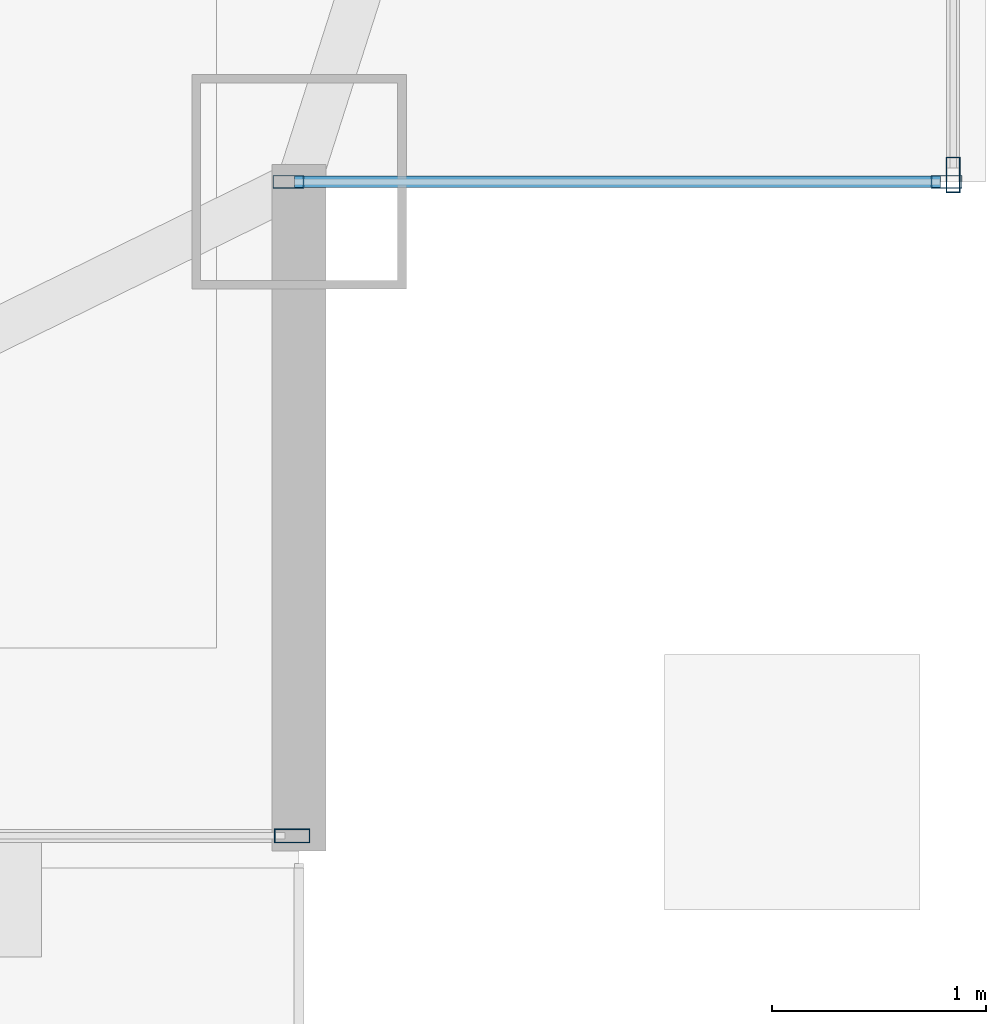
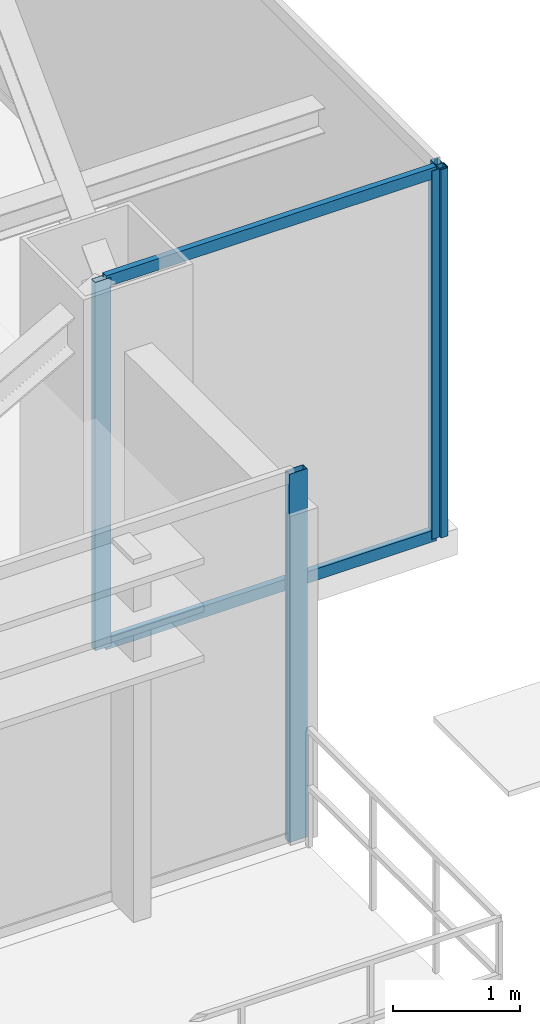
# One storey, part 11 of 25: 6 members, 3 elements without a shape of their own.
"""IFC4 building model written with IfcOpenShell, lengths in metres."""

from ifc_helpers import new_model, si_unit, direction, frame, origin, origin_2d, place, context, subcontext, project, spatial, hollow_rectangle, extrude, source, transform, mapped, material, layer, layer_set, material_profile, profile_set, type_object, type_shapes, element, aggregate, save


model = new_model("IFC4")

# Units and contexts
model_context = context("Model", 3, precision=1e-05, world=origin(), true_north=direction((0.0, 1.0)))
body_context = subcontext(model_context, "Body", "Model", "MODEL_VIEW")
ifc_project = project(units=[si_unit("LENGTHUNIT", "METRE"), si_unit("AREAUNIT", "SQUARE_METRE"), si_unit("VOLUMEUNIT", "CUBIC_METRE"), si_unit("PLANEANGLEUNIT", "RADIAN"), si_unit("MASSUNIT", "GRAM", prefix="KILO")], contexts=[model_context])

# Site, building, storey
site_placement = place(None, origin())
site = spatial("IfcSite", under=ifc_project, at=site_placement, CompositionType="ELEMENT")
building_placement = place(site_placement, origin())
building = spatial("IfcBuilding", under=site, at=building_placement, Name="Varnel Quay Broadcast Tower", CompositionType="ELEMENT")
storey_placement = place(building_placement, frame((0.0, 0.0, 258.39990234375)))
storey = spatial("IfcBuildingStorey", under=building, at=storey_placement, Name="L64", CompositionType="ELEMENT", Elevation=258.39990234375)

# Curtain wall, members
ifc_material = material(Name="Anodised Bronze Aluminium 6063-T6", Category="aluminium")
ifc_layer_1 = layer(ifc_material, 0.18994140625, Name="Anodised Bronze Aluminium 6063-T6")
ifc_layer_set_1 = layer_set([ifc_layer_1], Name="Anodised Bronze Aluminium 6063-T6")
curtain_wall_type_1 = type_object("IfcCurtainWallType", Name="CW_NotchCorner", PredefinedType="NOTDEFINED", material=ifc_layer_set_1)
curtain_wall_1_placement = place(storey_placement, origin())
curtain_wall_1 = element("IfcCurtainWall", 1, at=curtain_wall_1_placement, inside=storey, type_object=curtain_wall_type_1, Name="L64 SE Notch Curtain Wall", PredefinedType="NOTDEFINED")
ifc_material_profile_1 = material_profile(ifc_material, hollow_rectangle(XDim=0.06005859375, YDim=0.14501953125, WallThickness=0.00341796875, at=origin_2d()), Name="ALU60X145X3.5")
ifc_profile_set_1 = profile_set([ifc_material_profile_1], Name="Anodised Bronze Aluminium 6063-T6")
member_type_1 = type_object("IfcMemberType", Name="Mull_CWS-04", PredefinedType="MULLION", material=ifc_profile_set_1)
shared_shape_1 = source(origin(), body_context, "Body", "SweptSolid", [
    extrude(hollow_rectangle(XDim=0.06005859375, YDim=0.14501953125, WallThickness=0.00341796875, at=origin_2d()), origin(), (0.0, 0.0, 1.0), 3.550048828125),
])
type_shapes(member_type_1, [shared_shape_1])
member_1_placement = place(storey_placement, frame((52.75, 16.39990234375, 0.0), z_axis=(0.0, 0.0, 1.0), x_axis=(0.0, 1.0, 0.0)))
member_1 = element("IfcMember", 2, at=member_1_placement, type_object=member_type_1, Name="CWS-04 mullion 1", PredefinedType="MULLION", context=body_context, shape_type="MappedRepresentation", body=[
    mapped(shared_shape_1, transform((0.0, 0.0, 0.0), x_axis=(1.0, 0.0, 0.0), y_axis=(0.0, 1.0, 0.0), z_axis=(0.0, 0.0, 1.0), scale=1.0)),
])
member_2_placement = place(storey_placement, frame((55.820068359375, 16.39990234375, 0.0), z_axis=(0.0, 0.0, 1.0), x_axis=(0.0, 1.0, 0.0)))
member_2 = element("IfcMember", 3, at=member_2_placement, type_object=member_type_1, Name="CWS-04 mullion 2", PredefinedType="MULLION", context=body_context, shape_type="MappedRepresentation", body=[
    mapped(shared_shape_1, transform((0.0, 0.0, 0.0), x_axis=(1.0, 0.0, 0.0), y_axis=(0.0, 1.0, 0.0), z_axis=(0.0, 0.0, 1.0), scale=1.0)),
])

# Curtain wall, member
ifc_layer_2 = layer(ifc_material, 0.18994140625, Name="Anodised Bronze Aluminium 6063-T6")
ifc_layer_set_2 = layer_set([ifc_layer_2], Name="Anodised Bronze Aluminium 6063-T6")
curtain_wall_type_2 = type_object("IfcCurtainWallType", Name="CW_UpperTower", PredefinedType="NOTDEFINED", material=ifc_layer_set_2)
curtain_wall_2_placement = place(storey_placement, origin())
curtain_wall_2 = element("IfcCurtainWall", 4, at=curtain_wall_2_placement, inside=storey, type_object=curtain_wall_type_2, Name="L64 South Unitised Curtain Wall 2", PredefinedType="NOTDEFINED")
ifc_material_profile_2 = material_profile(ifc_material, hollow_rectangle(XDim=0.06494140625, YDim=0.1650390625, WallThickness=0.00341796875, at=origin_2d()), Name="ALU65X165X3.5")
ifc_profile_set_2 = profile_set([ifc_material_profile_2], Name="Anodised Bronze Aluminium 6063-T6")
member_type_2 = type_object("IfcMemberType", Name="Mull_CWS-03", PredefinedType="MULLION", material=ifc_profile_set_2)
shared_shape_2 = source(origin(), body_context, "Body", "SweptSolid", [
    extrude(hollow_rectangle(XDim=0.06494140625, YDim=0.1650390625, WallThickness=0.00341796875, at=origin_2d()), origin(), (0.0, 0.0, 1.0), 3.550048828125),
])
type_shapes(member_type_2, [shared_shape_2])
member_3_placement = place(storey_placement, frame((52.767578125, 13.35009765625, 0.0), z_axis=(0.0, 0.0, 1.0), x_axis=(0.0, 1.0, 0.0)))
member_3 = element("IfcMember", 5, at=member_3_placement, type_object=member_type_2, Name="CWS-03 mullion 3", PredefinedType="MULLION", context=body_context, shape_type="MappedRepresentation", body=[
    mapped(shared_shape_2, transform((0.0, 0.0, 0.0), x_axis=(1.0, 0.0, 0.0), y_axis=(0.0, 1.0, 0.0), z_axis=(0.0, 0.0, 1.0), scale=1.0)),
])
aggregate(curtain_wall_2, [member_3])

curtain_wall_3_placement = place(storey_placement, origin())
curtain_wall_3 = element("IfcCurtainWall", 6, at=curtain_wall_3_placement, inside=storey, type_object=curtain_wall_type_2, Name="L64 East Unitised Curtain Wall", PredefinedType="NOTDEFINED")
member_4_placement = place(storey_placement, frame((55.85009765625, 16.4326171875, 0.0), z_axis=(0.0, 0.0, 1.0), x_axis=(-1.0, 0.0, 0.0)))
member_4 = element("IfcMember", 7, at=member_4_placement, type_object=member_type_2, Name="CWS-03 mullion 1", PredefinedType="MULLION", context=body_context, shape_type="MappedRepresentation", body=[
    mapped(shared_shape_2, transform((0.0, 0.0, 0.0), x_axis=(1.0, 0.0, 0.0), y_axis=(0.0, 1.0, 0.0), z_axis=(0.0, 0.0, 1.0), scale=1.0)),
])
aggregate(curtain_wall_3, [member_4])

# Member
ifc_material_profile_3 = material_profile(ifc_material, hollow_rectangle(XDim=0.054931640625, YDim=0.110107421875, WallThickness=0.0029296875, at=origin_2d()), Name="ALU55X110X3")
ifc_profile_set_3 = profile_set([ifc_material_profile_3], Name="Anodised Bronze Aluminium 6063-T6")
member_type_3 = type_object("IfcMemberType", Name="Tran_CWS-04", PredefinedType="USERDEFINED", material=ifc_profile_set_3)
shared_shape_3 = source(origin(), body_context, "Body", "SweptSolid", [
    extrude(hollow_rectangle(XDim=0.054931640625, YDim=0.110107421875, WallThickness=0.0029296875, at=origin_2d()), origin(), (0.0, 0.0, 1.0), 3.010009765625),
])
type_shapes(member_type_3, [shared_shape_3])
member_5_placement = place(storey_placement, frame((52.780029296875, 16.39990234375, 0.027587890625), z_axis=(1.0, 0.0, 0.0), x_axis=(0.0, 1.0, 0.0)))
member_5 = element("IfcMember", 8, at=member_5_placement, type_object=member_type_3, Name="CWS-04 transom 1.1", ObjectType="TRANSOM", PredefinedType="USERDEFINED", context=body_context, shape_type="MappedRepresentation", body=[
    mapped(shared_shape_3, transform((0.0, 0.0, 0.0), x_axis=(1.0, 0.0, 0.0), y_axis=(0.0, 1.0, 0.0), z_axis=(0.0, 0.0, 1.0), scale=1.0)),
])

member_6_placement = place(storey_placement, frame((52.780029296875, 16.39990234375, 3.522705078125), z_axis=(1.0, 0.0, 0.0), x_axis=(0.0, 1.0, 0.0)))
member_6 = element("IfcMember", 9, at=member_6_placement, type_object=member_type_3, Name="CWS-04 transom 1.2", ObjectType="TRANSOM", PredefinedType="USERDEFINED", context=body_context, shape_type="MappedRepresentation", body=[
    mapped(shared_shape_3, transform((0.0, 0.0, 0.0), x_axis=(1.0, 0.0, 0.0), y_axis=(0.0, 1.0, 0.0), z_axis=(0.0, 0.0, 1.0), scale=1.0)),
])

aggregate(curtain_wall_1, [member_1, member_2, member_5, member_6])

save(model, "model.ifc")
